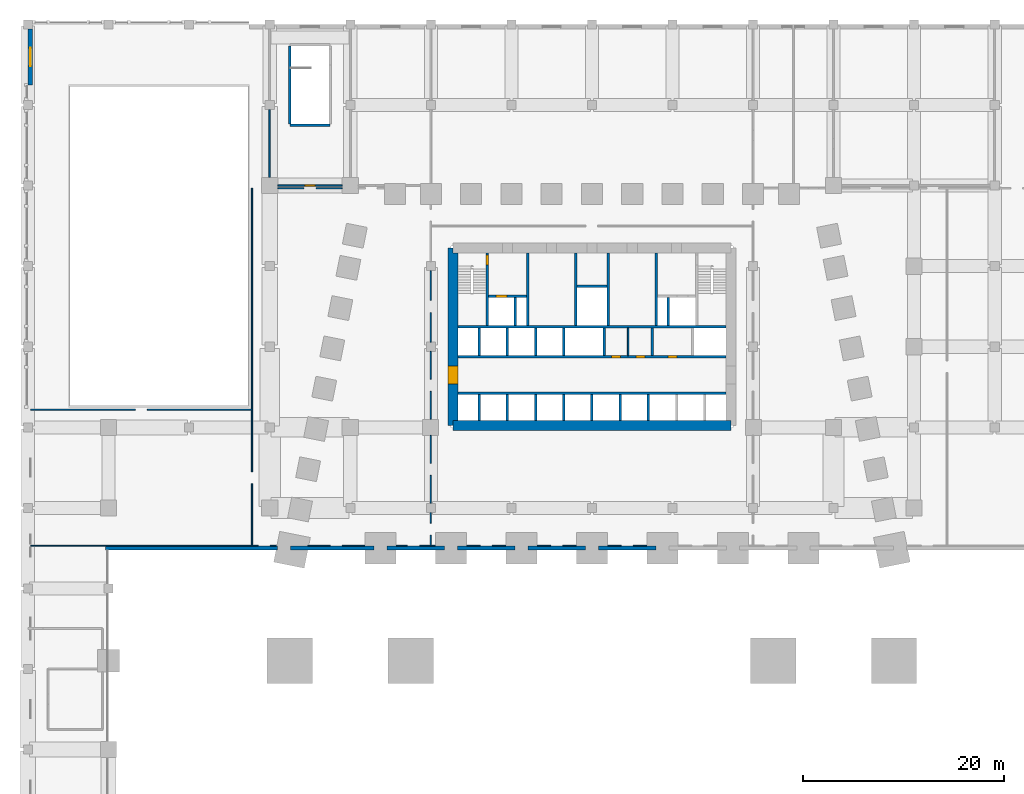
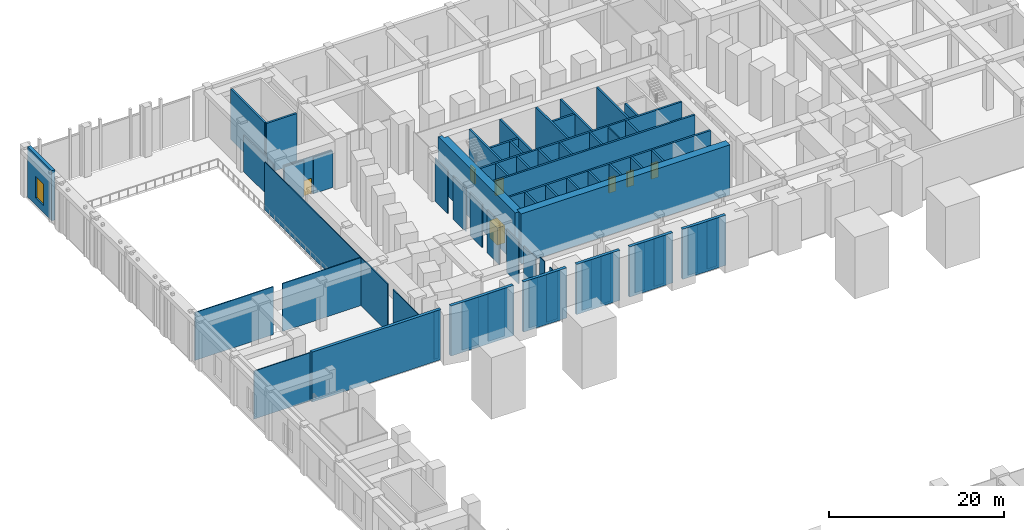
# One storey, part 9 of 18: 65 walls, 7 doors, 1 window, 8 openings.
"""IFC4 building model written with IfcOpenShell, lengths in metres."""

import ifcopenshell
import ifcopenshell.guid

model = None  # the IFC model being written
_history = None  # IfcOwnerHistory: only IFC2X3 demands one
_inside = {}  # id of a spatial element -> (the spatial element, [elements in it])
_under = {}  # id of a project, library or spatial element -> (it, [spatial elements below it])
_declared = {}  # id of a project -> (the project, [libraries it declares])
_typed = {}  # id of a type object -> (the type object, [elements of that type])
_made_of = {}  # id of a material, layer set ... -> (it, [elements and type objects made of it])


def new_model(schema):
    """Start an empty IFC model of exactly this schema.

    Asked for "IFC4X3", IfcOpenShell would pick the latest addendum, in which some entities
    have other attributes; the version numbers below select the first issue.
    IFC2X3 requires an IfcOwnerHistory on every rooted entity: one is made here for all.
    """
    global model, _history
    if schema == "IFC4X3":
        model = ifcopenshell.file(schema_version=(4, 3, 0, 0))
    else:
        model = ifcopenshell.file(schema=schema)
    _inside.clear()
    _under.clear()
    _declared.clear()
    _typed.clear()
    _made_of.clear()
    _history = None
    if model.schema == "IFC2X3":
        org = make("IfcOrganization", Name="unknown")
        user = make(
            "IfcPersonAndOrganization",
            ThePerson=make("IfcPerson", FamilyName="unknown"),
            TheOrganization=org,
        )
        app = make(
            "IfcApplication",
            ApplicationDeveloper=org,
            Version="unknown",
            ApplicationFullName="unknown",
            ApplicationIdentifier="unknown",
        )
        _history = make(
            "IfcOwnerHistory",
            OwningUser=user,
            OwningApplication=app,
            ChangeAction="ADDED",
            CreationDate=0,
        )
    return model


def make(cls, **values):
    """One entity of the class cls with the attributes given. An attribute that is None is left unset."""
    return model.create_entity(
        cls, **{name: value for name, value in values.items() if value is not None}
    )


def rooted(cls, **values):
    """An entity with a GlobalId (a new one), such as an element, a storey or a relation."""
    return make(cls, GlobalId=ifcopenshell.guid.new(), OwnerHistory=_history, **values)


def si_unit(unit_type, name, prefix=None):
    """IfcSIUnit, for example si_unit("LENGTHUNIT", "METRE", prefix="MILLI")."""
    return make("IfcSIUnit", UnitType=unit_type, Prefix=prefix, Name=name)


def assignment(units):
    """IfcUnitAssignment: the units of a project."""
    return None if units is None else make("IfcUnitAssignment", Units=units)


def point(xyz):
    """IfcCartesianPoint."""
    return None if xyz is None else make("IfcCartesianPoint", Coordinates=xyz)


def direction(xyz):
    """IfcDirection."""
    return None if xyz is None else make("IfcDirection", DirectionRatios=xyz)


def frame(location, z_axis=None, x_axis=None):
    """IfcAxis2Placement3D, a coordinate frame: its origin and axes. An axis left out is left unset."""
    return make(
        "IfcAxis2Placement3D",
        Location=point(location),
        Axis=direction(z_axis),
        RefDirection=direction(x_axis),
    )


def frame_2d(location, x_axis=None):
    """IfcAxis2Placement2D, a coordinate frame in the plane: its origin and x axis."""
    return make(
        "IfcAxis2Placement2D", Location=point(location), RefDirection=direction(x_axis)
    )


def origin():
    """The frame at (0, 0, 0) with its axes left unset."""
    return frame((0.0, 0.0, 0.0))


def place(relative_to, where):
    """IfcLocalPlacement: puts the frame where relative to a parent placement (None: the world)."""
    return make(
        "IfcLocalPlacement", PlacementRelTo=relative_to, RelativePlacement=where
    )


def context(
    kind, dimensions, precision=None, world=None, true_north=None, identifier=None
):
    """IfcGeometricRepresentationContext, for example the 3D "Model" context."""
    return make(
        "IfcGeometricRepresentationContext",
        ContextIdentifier=identifier,
        ContextType=kind,
        CoordinateSpaceDimension=dimensions,
        Precision=precision,
        WorldCoordinateSystem=world,
        TrueNorth=true_north,
    )


def subcontext(parent, identifier, kind, view, scale=None):
    """IfcGeometricRepresentationSubContext, for example "Body" below "Model"."""
    return make(
        "IfcGeometricRepresentationSubContext",
        ContextIdentifier=identifier,
        ContextType=kind,
        ParentContext=parent,
        TargetScale=scale,
        TargetView=view,
    )


def project(units=None, contexts=None):
    """IfcProject with its units and contexts."""
    return rooted(
        "IfcProject",
        Name="project",
        RepresentationContexts=contexts,
        UnitsInContext=assignment(units),
    )


def spatial(cls, under=None, at=None, **own):
    """A site, building, storey or space (cls), placed at a placement, below another one or the project."""
    s = rooted(cls, ObjectPlacement=at, **own)
    if under is not None:
        _under.setdefault(under.id(), (under, []))[1].append(s)
    return s


def polyline(points):
    """IfcPolyline through the points."""
    return make("IfcPolyline", Points=[point(p) for p in points])


def profile(cls, at=None, kind="AREA", **sizes):
    """A parametric profile (cls). Its sizes go by their IFC names, for example OverallWidth=200.0."""
    return make(cls, ProfileType=kind, Position=at, **sizes)


def rectangle(**sizes):
    """IfcRectangleProfileDef."""
    return profile("IfcRectangleProfileDef", **sizes)


def outline(outer, holes=None, kind="AREA"):
    """IfcArbitraryClosedProfileDef: a profile drawn as a closed curve; with holes, ...WithVoids."""
    if holes is None:
        return make("IfcArbitraryClosedProfileDef", ProfileType=kind, OuterCurve=outer)
    return make(
        "IfcArbitraryProfileDefWithVoids",
        ProfileType=kind,
        OuterCurve=outer,
        InnerCurves=holes,
    )


def extrude(swept, where, along, depth):
    """IfcExtrudedAreaSolid: the profile swept, set in the frame where, extruded along a direction by depth."""
    return make(
        "IfcExtrudedAreaSolid",
        SweptArea=swept,
        Position=where,
        ExtrudedDirection=direction(along),
        Depth=depth,
    )


def shape(context_of_items, identifier, shape_type, items):
    """IfcShapeRepresentation: the items that make up one representation, for example the "Body"."""
    return make(
        "IfcShapeRepresentation",
        ContextOfItems=context_of_items,
        RepresentationIdentifier=identifier,
        RepresentationType=shape_type,
        Items=items,
    )


def material(Name=None, Category=None):
    """IfcMaterial."""
    return make("IfcMaterial", Name=Name, Category=Category)


def layer(
    of_material, thickness, ventilated=None, Name=None, Category=None, Priority=None
):
    """IfcMaterialLayer: one layer of a wall or slab, of a material (None: an air gap)."""
    return make(
        "IfcMaterialLayer",
        Material=of_material,
        LayerThickness=thickness,
        IsVentilated=ventilated,
        Name=Name,
        Category=Category,
        Priority=Priority,
    )


def layer_set(layers, Name=None):
    """IfcMaterialLayerSet."""
    return make("IfcMaterialLayerSet", MaterialLayers=layers, LayerSetName=Name)


def made_of(thing, what):
    """Note that an element or type object is made of a material, layer set ...; save() writes the relation."""
    if what is not None:
        _made_of.setdefault(what.id(), (what, []))[1].append(thing)
    return thing


def type_object(cls, material=None, **own):
    """A type object (cls), such as IfcWallType, which elements share."""
    return made_of(rooted(cls, **own), material)


def element(
    cls,
    number,
    at=None,
    inside=None,
    cuts=None,
    type_object=None,
    material=None,
    context=None,
    identifier="Body",
    shape_type=None,
    held_by="IfcProductDefinitionShape",
    body=None,
    shapes=None,
    **own,
):
    """One element of the class cls, such as IfcWall. Its Tag is "e" and its number.

    at: its placement. inside: the storey or other place that contains it. cuts: it is an
    opening in that element (IfcRelVoidsElement). A single representation is given by context,
    identifier, shape_type and body (its items); several are given by shapes. held_by: the class
    of the entity that holds the representations. save() writes the other relations.
    """
    e = rooted(cls, Tag="e%d" % number, ObjectPlacement=at, **own)
    if body is not None:
        shapes = [shape(context, identifier, shape_type, body)]
    if shapes is not None:
        e.Representation = make(held_by, Representations=shapes)
    if inside is not None:
        _inside.setdefault(inside.id(), (inside, []))[1].append(e)
    if cuts is not None:
        rooted(
            "IfcRelVoidsElement", RelatingBuildingElement=cuts, RelatedOpeningElement=e
        )
    if type_object is not None:
        _typed.setdefault(type_object.id(), (type_object, []))[1].append(e)
    return made_of(e, material)


def fill(opening, filler):
    """IfcRelFillsElement: the door or window that sits in an opening."""
    return rooted(
        "IfcRelFillsElement",
        RelatingOpeningElement=opening,
        RelatedBuildingElement=filler,
    )


def aggregate(whole, parts):
    """IfcRelAggregates: a whole, such as a stair, and the parts it consists of."""
    return rooted("IfcRelAggregates", RelatingObject=whole, RelatedObjects=parts)


def save(model, path):
    """Write the relations noted so far, then the file.

    IfcRelAggregates (storeys below a building ...), IfcRelContainedInSpatialStructure (elements
    in a storey), IfcRelDefinesByType, IfcRelAssociatesMaterial and IfcRelDeclares: one each for
    every whole, place, type object, material and project.
    """
    for whole, parts in _under.values():
        aggregate(whole, parts)
    for where, things in _inside.values():
        rooted(
            "IfcRelContainedInSpatialStructure",
            RelatedElements=things,
            RelatingStructure=where,
        )
    for kind, things in _typed.values():
        rooted("IfcRelDefinesByType", RelatedObjects=things, RelatingType=kind)
    for what, things in _made_of.values():
        rooted("IfcRelAssociatesMaterial", RelatedObjects=things, RelatingMaterial=what)
    for by, libraries in _declared.values():
        rooted("IfcRelDeclares", RelatingContext=by, RelatedDefinitions=libraries)
    model.write(path)


model = new_model("IFC4")

# Units and contexts
model_context = context("Model", 3, precision=1e-05, world=origin(), true_north=direction((0.0, 1.0)))
body_context = subcontext(model_context, "Body", "Model", "MODEL_VIEW")
ifc_project = project(units=[si_unit("LENGTHUNIT", "METRE"), si_unit("AREAUNIT", "SQUARE_METRE"), si_unit("VOLUMEUNIT", "CUBIC_METRE"), si_unit("PLANEANGLEUNIT", "RADIAN"), si_unit("MASSUNIT", "GRAM", prefix="KILO")], contexts=[model_context])

# Site, building, storey
site_placement = place(None, origin())
site = spatial("IfcSite", under=ifc_project, at=site_placement, CompositionType="ELEMENT")
building_placement = place(site_placement, origin())
building = spatial("IfcBuilding", under=site, at=building_placement, Name="Isbrekke Arena Tower", CompositionType="ELEMENT")
storey_placement = place(building_placement, frame((0.0, 0.0, 12.0)))
storey = spatial("IfcBuildingStorey", under=building, at=storey_placement, Name="L02", CompositionType="ELEMENT", Elevation=12.0)

# Walls
ifc_material_1 = material(Name="Concrete B45 (C45/55)", Category="concrete")
ifc_layer_1 = layer(ifc_material_1, 0.39990234375)
ifc_layer_set_1 = layer_set([ifc_layer_1], Name="AW1 ARENA WALL 400")
wall_type_1 = type_object("IfcWallType", Name="AW1 ARENA WALL 400", PredefinedType="SHEAR", material=ifc_layer_set_1)
wall_1_placement = place(storey_placement, frame((-48.300048828125, -6.0, 0.0), z_axis=(0.0, 0.0, 1.0), x_axis=(1.0, 0.0, 0.0)))
element("IfcWall", 1, at=wall_1_placement, inside=storey, type_object=wall_type_1, Name="Arena north wall 1", PredefinedType="SHEAR", context=body_context, shape_type="SweptSolid", body=[
    extrude(rectangle(XDim=17.050048828125, YDim=0.39990234375, at=frame_2d((8.52490234375, 0.0))), origin(), (0.0, 0.0, 1.0), 7.0),
])
wall_2_placement = place(storey_placement, frame((-29.949951171875, -6.0, 0.0), z_axis=(0.0, 0.0, 1.0), x_axis=(1.0, 0.0, 0.0)))
element("IfcWall", 2, at=wall_2_placement, inside=storey, type_object=wall_type_1, Name="Arena north wall 2", PredefinedType="SHEAR", context=body_context, shape_type="SweptSolid", body=[
    extrude(rectangle(XDim=8.300048828125, YDim=0.39990234375, at=frame_2d((4.14990234375, 0.0))), origin(), (0.0, 0.0, 1.0), 7.0),
])
for number, where, z_axis, x_axis, name in (
    (3, (-20.35009765625, -6.0, 0.0), (0.0, 0.0, 1.0), (1.0, 0.0, 0.0), "Arena north wall 3"),
    (4, (-13.35009765625, -6.0, 0.0), (0.0, 0.0, 1.0), (1.0, 0.0, 0.0), "Arena north wall 4"),
    (5, (-6.35009765625, -6.0, 0.0), (0.0, 0.0, 1.0), (1.0, 0.0, 0.0), "Arena north wall 5"),
    (6, (0.64990234375, -6.0, 0.0), (0.0, 0.0, 1.0), (1.0, 0.0, 0.0), "Arena north wall 6"),
):
    element("IfcWall", number, at=place(storey_placement, frame(where, z_axis=z_axis, x_axis=x_axis)), inside=storey, type_object=wall_type_1, Name=name, PredefinedType="SHEAR", context=body_context, shape_type="SweptSolid", body=[
        extrude(rectangle(XDim=5.7001953125, YDim=0.39990234375, at=frame_2d((2.85009765625, 0.0))), origin(), (0.0, 0.0, 1.0), 7.0),
    ])
ifc_material_2 = material(Name="Concrete B65 (C65/80)", Category="concrete")
ifc_layer_2 = layer(ifc_material_2, 1.0)
ifc_layer_set_2 = layer_set([ifc_layer_2], Name="CW1 CORE WALL 1000")
wall_type_2 = type_object("IfcWallType", Name="CW1 CORE WALL 1000", PredefinedType="SHEAR", material=ifc_layer_set_2)
wall_3_placement = place(storey_placement, frame((-13.800048828125, 6.199951171875, 0.0), z_axis=(0.0, 0.0, 1.0), x_axis=(1.0, 0.0, 0.0)))
element("IfcWall", 7, at=wall_3_placement, inside=storey, type_object=wall_type_2, Name="Core wall S L02", PredefinedType="SHEAR", context=body_context, shape_type="SweptSolid", body=[
    extrude(rectangle(XDim=27.60009765625, YDim=1.0, at=frame_2d((13.800048828125, 0.0))), origin(), (0.0, 0.0, 1.0), 7.0),
])

# Wall, opening, door
wall_4_placement = place(storey_placement, frame((-13.800048828125, 23.800048828125, 0.0), z_axis=(0.0, 0.0, 1.0), x_axis=(0.0, -1.0, 0.0)))
wall_4 = element("IfcWall", 8, at=wall_4_placement, inside=storey, type_object=wall_type_2, Name="Core wall W L02", PredefinedType="SHEAR", context=body_context, shape_type="SweptSolid", body=[
    extrude(outline(polyline([(0.0, -0.5), (17.60009765625, -0.5), (17.60009765625, 0.0), (17.10009765625, 0.0), (17.10009765625, 0.5), (0.5, 0.5), (0.5, 0.0), (0.0, 0.0), (0.0, -0.5)])), origin(), (0.0, 0.0, 1.0), 7.0),
])
opening_1_placement = place(wall_4_placement, frame((11.699951171875, 0.0, 0.0)))
opening_1 = element("IfcOpeningElement", 9, at=opening_1_placement, cuts=wall_4, Name="Opening D1", PredefinedType="OPENING", context=body_context, shape_type="SweptSolid", body=[
    extrude(rectangle(XDim=1.800048828125, YDim=2.39990234375, at=frame_2d((0.89990234375, 1.199951171875))), frame((0.0, 0.514892578125, 0.0), z_axis=(0.0, -1.0, 0.0), x_axis=(1.0, 0.0, 0.0)), (0.0, 0.0, 1.0), 1.02978515625),
])
ifc_material_3 = material(Name="Steel-framed glazed fire door", Category="steel")
door_type_1 = type_object("IfcDoorType", Name="D1 CORE LOBBY DOOR 1800 x 2400", OperationType="DOUBLE_DOOR_SINGLE_SWING", PredefinedType="DOOR", material=ifc_material_3)
door_1_placement = place(opening_1_placement, origin())
door_1 = element("IfcDoor", 10, at=door_1_placement, inside=storey, type_object=door_type_1, Name="D1 lift lobby door west L02", OperationType="DOUBLE_DOOR_SINGLE_SWING", OverallHeight=2.39990234375, OverallWidth=1.800048828125, PredefinedType="DOOR", context=body_context, shape_type="SweptSolid", body=[
    extrude(rectangle(XDim=1.800048828125, YDim=2.39990234375, at=frame_2d((0.89990234375, 1.199951171875))), frame((0.0, 0.499755859375, 0.0), z_axis=(0.0, -1.0, 0.0), x_axis=(1.0, 0.0, 0.0)), (0.0, 0.0, 1.0), 0.99951171875),
])
fill(opening_1, door_1)

# Wall
ifc_material_4 = material(Name="Concrete B45 (C45/55)", Category="concrete")
ifc_layer_3 = layer(ifc_material_4, 0.25)
ifc_layer_set_3 = layer_set([ifc_layer_3], Name="CW6 SHAFT WALL 250")
wall_type_3 = type_object("IfcWallType", Name="CW6 SHAFT WALL 250", PredefinedType="SHEAR", material=ifc_layer_set_3)
wall_5_placement = place(storey_placement, frame((-13.300048828125, 9.39990234375, 0.0), z_axis=(0.0, 0.0, 1.0), x_axis=(1.0, 0.0, 0.0)))
element("IfcWall", 11, at=wall_5_placement, inside=storey, type_object=wall_type_3, Name="Core wall LS L02", PredefinedType="SHEAR", context=body_context, shape_type="SweptSolid", body=[
    extrude(rectangle(XDim=26.60009765625, YDim=0.25, at=frame_2d((13.300048828125, 0.0))), origin(), (0.0, 0.0, 1.0), 7.0),
])

# Wall, openings, doors
wall_6_placement = place(storey_placement, frame((-13.300048828125, 13.0, 0.0), z_axis=(0.0, 0.0, 1.0), x_axis=(1.0, 0.0, 0.0)))
wall_6 = element("IfcWall", 12, at=wall_6_placement, inside=storey, type_object=wall_type_3, Name="Core wall LN L02", PredefinedType="SHEAR", context=body_context, shape_type="SweptSolid", body=[
    extrude(rectangle(XDim=26.60009765625, YDim=0.25, at=frame_2d((13.300048828125, 0.0))), origin(), (0.0, 0.0, 1.0), 7.0),
])
opening_2_placement = place(wall_6_placement, frame((15.25, 0.0, 0.0)))
opening_2 = element("IfcOpeningElement", 13, at=opening_2_placement, cuts=wall_6, Name="Opening D5", PredefinedType="OPENING", context=body_context, shape_type="SweptSolid", body=[
    extrude(rectangle(XDim=0.89990234375, YDim=2.10009765625, at=frame_2d((0.449951171875, 1.050048828125))), frame((0.0, 0.139892578125, 0.0), z_axis=(0.0, -1.0, 0.0), x_axis=(1.0, 0.0, 0.0)), (0.0, 0.0, 1.0), 0.27978515625),
])
opening_3_placement = place(wall_6_placement, frame((17.64990234375, 0.0, 0.0)))
opening_3 = element("IfcOpeningElement", 14, at=opening_3_placement, cuts=wall_6, Name="Opening D5", PredefinedType="OPENING", context=body_context, shape_type="SweptSolid", body=[
    extrude(rectangle(XDim=0.89990234375, YDim=2.10009765625, at=frame_2d((0.449951171875, 1.050048828125))), frame((0.0, 0.139892578125, 0.0), z_axis=(0.0, -1.0, 0.0), x_axis=(1.0, 0.0, 0.0)), (0.0, 0.0, 1.0), 0.27978515625),
])
opening_4_placement = place(wall_6_placement, frame((20.85009765625, 0.0, 0.0)))
opening_4 = element("IfcOpeningElement", 15, at=opening_4_placement, cuts=wall_6, Name="Opening D5", PredefinedType="OPENING", context=body_context, shape_type="SweptSolid", body=[
    extrude(rectangle(XDim=0.89990234375, YDim=2.10009765625, at=frame_2d((0.449951171875, 1.050048828125))), frame((0.0, 0.139892578125, 0.0), z_axis=(0.0, -1.0, 0.0), x_axis=(1.0, 0.0, 0.0)), (0.0, 0.0, 1.0), 0.27978515625),
])
ifc_material_5 = material(Name="Steel fire door", Category="steel")
door_type_2 = type_object("IfcDoorType", Name="D5 SERVICE DOOR 900 x 2100", OperationType="SINGLE_SWING_LEFT", PredefinedType="DOOR", material=ifc_material_5)
door_2_placement = place(opening_2_placement, origin())
door_2 = element("IfcDoor", 16, at=door_2_placement, inside=storey, type_object=door_type_2, Name="D5 communications room door L02", OperationType="SINGLE_SWING_LEFT", OverallHeight=2.10009765625, OverallWidth=0.89990234375, PredefinedType="DOOR", context=body_context, shape_type="SweptSolid", body=[
    extrude(rectangle(XDim=0.89990234375, YDim=2.10009765625, at=frame_2d((0.449951171875, 1.050048828125))), frame((0.0, 0.124755859375, 0.0), z_axis=(0.0, -1.0, 0.0), x_axis=(1.0, 0.0, 0.0)), (0.0, 0.0, 1.0), 0.24951171875),
])
fill(opening_2, door_2)
door_3_placement = place(opening_3_placement, origin())
door_3 = element("IfcDoor", 17, at=door_3_placement, inside=storey, type_object=door_type_2, Name="D5 cleaner's store door L02", OperationType="SINGLE_SWING_LEFT", OverallHeight=2.10009765625, OverallWidth=0.89990234375, PredefinedType="DOOR", context=body_context, shape_type="SweptSolid", body=[
    extrude(rectangle(XDim=0.89990234375, YDim=2.10009765625, at=frame_2d((0.449951171875, 1.050048828125))), frame((0.0, 0.124755859375, 0.0), z_axis=(0.0, -1.0, 0.0), x_axis=(1.0, 0.0, 0.0)), (0.0, 0.0, 1.0), 0.24951171875),
])
fill(opening_3, door_3)
door_4_placement = place(opening_4_placement, origin())
door_4 = element("IfcDoor", 18, at=door_4_placement, inside=storey, type_object=door_type_2, Name="D5 store door L02", OperationType="SINGLE_SWING_LEFT", OverallHeight=2.10009765625, OverallWidth=0.89990234375, PredefinedType="DOOR", context=body_context, shape_type="SweptSolid", body=[
    extrude(rectangle(XDim=0.89990234375, YDim=2.10009765625, at=frame_2d((0.449951171875, 1.050048828125))), frame((0.0, 0.124755859375, 0.0), z_axis=(0.0, -1.0, 0.0), x_axis=(1.0, 0.0, 0.0)), (0.0, 0.0, 1.0), 0.24951171875),
])
fill(opening_4, door_4)

# Walls
wall_7_placement = place(storey_placement, frame((-13.300048828125, 16.0, 0.0), z_axis=(0.0, 0.0, 1.0), x_axis=(1.0, 0.0, 0.0)))
element("IfcWall", 19, at=wall_7_placement, inside=storey, type_object=wall_type_3, Name="Core wall NB L02", PredefinedType="SHEAR", context=body_context, shape_type="SweptSolid", body=[
    extrude(rectangle(XDim=26.60009765625, YDim=0.25, at=frame_2d((13.300048828125, 0.0))), origin(), (0.0, 0.0, 1.0), 7.0),
])
for number, where, z_axis, x_axis, name in (
    (20, (-11.199951171875, 6.699951171875, 0.0), (0.0, 0.0, 1.0), (0.0, 1.0, 0.0), "Core wall SS01 L02"),
    (21, (-8.39990234375, 6.699951171875, 0.0), (0.0, 0.0, 1.0), (0.0, 1.0, 0.0), "Core wall SS02 L02"),
    (22, (-5.60009765625, 6.699951171875, 0.0), (0.0, 0.0, 1.0), (0.0, 1.0, 0.0), "Core wall SS03 L02"),
    (23, (-2.800048828125, 6.699951171875, 0.0), (0.0, 0.0, 1.0), (0.0, 1.0, 0.0), "Core wall SS04 L02"),
    (24, (0.0, 6.699951171875, 0.0), (0.0, 0.0, 1.0), (0.0, 1.0, 0.0), "Core wall SS05 L02"),
    (25, (2.800048828125, 6.699951171875, 0.0), (0.0, 0.0, 1.0), (0.0, 1.0, 0.0), "Core wall SS06 L02"),
    (26, (5.60009765625, 6.699951171875, 0.0), (0.0, 0.0, 1.0), (0.0, 1.0, 0.0), "Core wall SS07 L02"),
):
    element("IfcWall", number, at=place(storey_placement, frame(where, z_axis=z_axis, x_axis=x_axis)), inside=storey, type_object=wall_type_3, Name=name, PredefinedType="SHEAR", context=body_context, shape_type="SweptSolid", body=[
        extrude(rectangle(XDim=2.574951171875, YDim=0.25, at=frame_2d((1.28759765625, 0.0))), origin(), (0.0, 0.0, 1.0), 7.0),
    ])
for number, where, z_axis, x_axis, name in (
    (27, (-11.199951171875, 13.125, 0.0), (0.0, 0.0, 1.0), (0.0, 1.0, 0.0), "Core wall SN01 L02"),
    (28, (-8.39990234375, 13.125, 0.0), (0.0, 0.0, 1.0), (0.0, 1.0, 0.0), "Core wall SN02 L02"),
    (29, (-5.60009765625, 13.125, 0.0), (0.0, 0.0, 1.0), (0.0, 1.0, 0.0), "Core wall SN03 L02"),
    (30, (-2.800048828125, 13.125, 0.0), (0.0, 0.0, 1.0), (0.0, 1.0, 0.0), "Core wall SN04 L02"),
    (31, (1.199951171875, 13.125, 0.0), (0.0, 0.0, 1.0), (0.0, 1.0, 0.0), "Core wall SN05 L02"),
    (32, (6.0, 13.125, 0.0), (0.0, 0.0, 1.0), (0.0, 1.0, 0.0), "Core wall SN06 L02"),
):
    element("IfcWall", number, at=place(storey_placement, frame(where, z_axis=z_axis, x_axis=x_axis)), inside=storey, type_object=wall_type_3, Name=name, PredefinedType="SHEAR", context=body_context, shape_type="SweptSolid", body=[
        extrude(rectangle(XDim=2.75, YDim=0.25, at=frame_2d((1.375, 0.0))), origin(), (0.0, 0.0, 1.0), 7.0),
    ])

# Wall, opening, door
wall_8_placement = place(storey_placement, frame((-10.39990234375, 16.125, 0.0), z_axis=(0.0, 0.0, 1.0), x_axis=(0.0, 1.0, 0.0)))
wall_8 = element("IfcWall", 33, at=wall_8_placement, inside=storey, type_object=wall_type_3, Name="Core wall NV01 L02", PredefinedType="SHEAR", context=body_context, shape_type="SweptSolid", body=[
    extrude(rectangle(XDim=7.175048828125, YDim=0.25, at=frame_2d((3.58740234375, 0.0))), origin(), (0.0, 0.0, 1.0), 7.0),
])
opening_5_placement = place(wall_8_placement, frame((5.97509765625, 0.0, 0.0)))
opening_5 = element("IfcOpeningElement", 34, at=opening_5_placement, cuts=wall_8, Name="Opening D2", PredefinedType="OPENING", context=body_context, shape_type="SweptSolid", body=[
    extrude(rectangle(XDim=1.0, YDim=2.10009765625, at=frame_2d((0.5, 1.050048828125))), frame((0.0, 0.139892578125, 0.0), z_axis=(0.0, -1.0, 0.0), x_axis=(1.0, 0.0, 0.0)), (0.0, 0.0, 1.0), 0.27978515625),
])
ifc_material_6 = material(Name="Steel fire door", Category="steel")
door_type_3 = type_object("IfcDoorType", Name="D2 STAIR DOOR 1000 x 2100", OperationType="SINGLE_SWING_LEFT", PredefinedType="DOOR", material=ifc_material_6)
door_5_placement = place(opening_5_placement, origin())
door_5 = element("IfcDoor", 35, at=door_5_placement, inside=storey, type_object=door_type_3, Name="D2 stair door ST1 L02", OperationType="SINGLE_SWING_LEFT", OverallHeight=2.10009765625, OverallWidth=1.0, PredefinedType="DOOR", context=body_context, shape_type="SweptSolid", body=[
    extrude(rectangle(XDim=1.0, YDim=2.10009765625, at=frame_2d((0.5, 1.050048828125))), frame((0.0, 0.124755859375, 0.0), z_axis=(0.0, -1.0, 0.0), x_axis=(1.0, 0.0, 0.0)), (0.0, 0.0, 1.0), 0.24951171875),
])
fill(opening_5, door_5)

# Walls
for number, where, z_axis, x_axis, name in (
    (36, (-6.39990234375, 16.125, 0.0), (0.0, 0.0, 1.0), (0.0, 1.0, 0.0), "Core wall NV02 L02"),
    (37, (-1.60009765625, 16.125, 0.0), (0.0, 0.0, 1.0), (0.0, 1.0, 0.0), "Core wall NV03 L02"),
    (38, (1.60009765625, 16.125, 0.0), (0.0, 0.0, 1.0), (0.0, 1.0, 0.0), "Core wall NV04 L02"),
    (39, (6.39990234375, 16.125, 0.0), (0.0, 0.0, 1.0), (0.0, 1.0, 0.0), "Core wall NV05 L02"),
):
    element("IfcWall", number, at=place(storey_placement, frame(where, z_axis=z_axis, x_axis=x_axis)), inside=storey, type_object=wall_type_3, Name=name, PredefinedType="SHEAR", context=body_context, shape_type="SweptSolid", body=[
        extrude(rectangle(XDim=7.175048828125, YDim=0.25, at=frame_2d((3.58740234375, 0.0))), origin(), (0.0, 0.0, 1.0), 7.0),
    ])

# Wall, opening, door
wall_9_placement = place(storey_placement, frame((-10.27490234375, 19.0, 0.0), z_axis=(0.0, 0.0, 1.0), x_axis=(1.0, 0.0, 0.0)))
wall_9 = element("IfcWall", 40, at=wall_9_placement, inside=storey, type_object=wall_type_3, Name="Core wall NFW L02", PredefinedType="SHEAR", context=body_context, shape_type="SweptSolid", body=[
    extrude(rectangle(XDim=3.75, YDim=0.25, at=frame_2d((1.875, 0.0))), origin(), (0.0, 0.0, 1.0), 7.0),
])
opening_6_placement = place(wall_9_placement, frame((0.72509765625, 0.0, 0.0)))
opening_6 = element("IfcOpeningElement", 41, at=opening_6_placement, cuts=wall_9, Name="Opening LD2", PredefinedType="OPENING", context=body_context, shape_type="SweptSolid", body=[
    extrude(rectangle(XDim=1.10009765625, YDim=2.10009765625, at=frame_2d((0.550048828125, 1.050048828125))), frame((0.0, 0.139892578125, 0.0), z_axis=(0.0, -1.0, 0.0), x_axis=(1.0, 0.0, 0.0)), (0.0, 0.0, 1.0), 0.27978515625),
])
ifc_material_7 = material(Name="Stainless steel lift landing door", Category="steel")
door_type_4 = type_object("IfcDoorType", Name="LD2 FIRE-FIGHTING LIFT LANDING DOOR 1100 x 2100", OperationType="SLIDING_TO_RIGHT", PredefinedType="DOOR", material=ifc_material_7)
door_6_placement = place(opening_6_placement, origin())
door_6 = element("IfcDoor", 42, at=door_6_placement, inside=storey, type_object=door_type_4, Name="LD2 lift landing door LF L02", OperationType="SLIDING_TO_RIGHT", OverallHeight=2.10009765625, OverallWidth=1.10009765625, PredefinedType="DOOR", context=body_context, shape_type="SweptSolid", body=[
    extrude(rectangle(XDim=1.10009765625, YDim=2.10009765625, at=frame_2d((0.550048828125, 1.050048828125))), frame((0.0, 0.124755859375, 0.0), z_axis=(0.0, -1.0, 0.0), x_axis=(1.0, 0.0, 0.0)), (0.0, 0.0, 1.0), 0.24951171875),
])
fill(opening_6, door_6)

# Walls
for number, where, z_axis, x_axis, name in (
    (43, (-7.60009765625, 16.125, 0.0), (0.0, 0.0, 1.0), (0.0, 1.0, 0.0), "Core wall NFS1 L02"),
    (44, (7.60009765625, 16.125, 0.0), (0.0, 0.0, 1.0), (0.0, 1.0, 0.0), "Core wall NFS2 L02"),
):
    element("IfcWall", number, at=place(storey_placement, frame(where, z_axis=z_axis, x_axis=x_axis)), inside=storey, type_object=wall_type_3, Name=name, PredefinedType="SHEAR", context=body_context, shape_type="SweptSolid", body=[
        extrude(rectangle(XDim=2.75, YDim=0.25, at=frame_2d((1.375, 0.0))), origin(), (0.0, 0.0, 1.0), 7.0),
    ])
wall_10_placement = place(storey_placement, frame((-1.47509765625, 20.0, 0.0), z_axis=(0.0, 0.0, 1.0), x_axis=(1.0, 0.0, 0.0)))
element("IfcWall", 45, at=wall_10_placement, inside=storey, type_object=wall_type_3, Name="Core wall NWC L02", PredefinedType="SHEAR", context=body_context, shape_type="SweptSolid", body=[
    extrude(rectangle(XDim=2.9501953125, YDim=0.25, at=frame_2d((1.47509765625, 0.0))), origin(), (0.0, 0.0, 1.0), 7.0),
])

# Wall, opening, window
ifc_material_8 = material(Name="Pale brick facing on concrete backing wall", Category="masonry")
ifc_layer_4 = layer(ifc_material_8, 0.449951171875)
ifc_layer_set_4 = layer_set([ifc_layer_4], Name="EW1 PODIUM BRICK WALL 450")
wall_type_4 = type_object("IfcWallType", Name="EW1 PODIUM BRICK WALL 450", PredefinedType="SOLIDWALL", material=ifc_layer_set_4)
wall_11_placement = place(storey_placement, frame((-55.77490234375, 45.550048828125, 0.0), z_axis=(0.0, 0.0, 1.0), x_axis=(0.0, -1.0, 0.0)))
wall_11 = element("IfcWall", 46, at=wall_11_placement, inside=storey, type_object=wall_type_4, Name="EW1 podium wall W2 L02", PredefinedType="SOLIDWALL", context=body_context, shape_type="SweptSolid", body=[
    extrude(rectangle(XDim=5.550048828125, YDim=0.449951171875, at=frame_2d((2.77490234375, 0.0))), origin(), (0.0, 0.0, 1.0), 7.0),
])
opening_7_placement = place(wall_11_placement, frame((1.875, 0.0, 1.0)))
opening_7 = element("IfcOpeningElement", 47, at=opening_7_placement, cuts=wall_11, Name="Opening WN2", PredefinedType="OPENING", context=body_context, shape_type="SweptSolid", body=[
    extrude(rectangle(XDim=1.800048828125, YDim=3.0, at=frame_2d((0.89990234375, 1.5))), frame((0.0, 0.23974609375, 0.0), z_axis=(0.0, -1.0, 0.0), x_axis=(1.0, 0.0, 0.0)), (0.0, 0.0, 1.0), 0.479736328125),
])
ifc_material_9 = material(Name="Timber-aluminium window, triple glazed", Category="wood")
window_type = type_object("IfcWindowType", Name="WN2 PODIUM WINDOW 1800 x 3000", PartitioningType="SINGLE_PANEL", PredefinedType="WINDOW", material=ifc_material_9)
window_placement = place(opening_7_placement, origin())
window = element("IfcWindow", 48, at=window_placement, inside=storey, type_object=window_type, Name="WN2 podium window W2-1", OverallHeight=3.0, OverallWidth=1.800048828125, PartitioningType="SINGLE_PANEL", PredefinedType="WINDOW", context=body_context, shape_type="SweptSolid", body=[
    extrude(rectangle(XDim=1.800048828125, YDim=3.0, at=frame_2d((0.89990234375, 1.5))), frame((0.0, 0.030029296875, 0.0), z_axis=(0.0, -1.0, 0.0), x_axis=(1.0, 0.0, 0.0)), (0.0, 0.0, 1.0), 0.06005859375),
])
fill(opening_7, window)

# Wall
ifc_material_10 = material(Name="Gypsum board partition on steel studs", Category="steel")
ifc_layer_5 = layer(ifc_material_10, 0.14990234375)
ifc_layer_set_5 = layer_set([ifc_layer_5], Name="IW1 PARTITION 150")
wall_type_5 = type_object("IfcWallType", Name="IW1 PARTITION 150", PredefinedType="PARTITIONING", material=ifc_layer_set_5)
wall_12_placement = place(storey_placement, frame((-32.0, 30.81005859375, 0.0), z_axis=(0.0, 0.0, 1.0), x_axis=(0.0, 1.0, 0.0)))
element("IfcWall", 49, at=wall_12_placement, inside=storey, type_object=wall_type_5, Name="IW1 partition L02", PredefinedType="PARTITIONING", context=body_context, shape_type="SweptSolid", body=[
    extrude(rectangle(XDim=6.72998046875, YDim=0.14990234375, at=frame_2d((3.364990234375, 0.0))), origin(), (0.0, 0.0, 1.0), 5.09912109375),
])

# Wall, opening, door
wall_13_placement = place(storey_placement, frame((-31.18994140625, 30.0, 0.0), z_axis=(0.0, 0.0, 1.0), x_axis=(1.0, 0.0, 0.0)))
wall_13 = element("IfcWall", 50, at=wall_13_placement, inside=storey, type_object=wall_type_5, Name="IW1 partition L02", PredefinedType="PARTITIONING", context=body_context, shape_type="SweptSolid", body=[
    extrude(rectangle(XDim=6.3798828125, YDim=0.14990234375, at=frame_2d((3.18994140625, 0.0))), origin(), (0.0, 0.0, 1.0), 5.09912109375),
])
opening_8_placement = place(wall_13_placement, frame((2.68994140625, 0.0, 0.0)))
opening_8 = element("IfcOpeningElement", 51, at=opening_8_placement, cuts=wall_13, Name="Opening D6", PredefinedType="OPENING", context=body_context, shape_type="SweptSolid", body=[
    extrude(rectangle(XDim=1.0, YDim=2.10009765625, at=frame_2d((0.5, 1.050048828125))), frame((0.0, 0.08984375, 0.0), z_axis=(0.0, -1.0, 0.0), x_axis=(1.0, 0.0, 0.0)), (0.0, 0.0, 1.0), 0.1796875),
])
ifc_material_11 = material(Name="Timber door", Category="wood")
door_type_5 = type_object("IfcDoorType", Name="D6 ROOM DOOR 1000 x 2100", OperationType="SINGLE_SWING_LEFT", PredefinedType="DOOR", material=ifc_material_11)
door_7_placement = place(opening_8_placement, origin())
door_7 = element("IfcDoor", 52, at=door_7_placement, inside=storey, type_object=door_type_5, Name="D6 door L02-16", OperationType="SINGLE_SWING_LEFT", OverallHeight=2.10009765625, OverallWidth=1.0, PredefinedType="DOOR", context=body_context, shape_type="SweptSolid", body=[
    extrude(rectangle(XDim=1.0, YDim=2.10009765625, at=frame_2d((0.5, 1.050048828125))), frame((0.0, 0.07470703125, 0.0), z_axis=(0.0, -1.0, 0.0), x_axis=(1.0, 0.0, 0.0)), (0.0, 0.0, 1.0), 0.1494140625),
])
fill(opening_8, door_7)

# Walls
ifc_material_12 = material(Name="Frameless glazed partition, laminated acoustic glass", Category="glass")
ifc_layer_6 = layer(ifc_material_12, 0.1201171875)
ifc_layer_set_6 = layer_set([ifc_layer_6], Name="IW2 GLAZED PARTITION 120")
wall_type_6 = type_object("IfcWallType", Name="IW2 GLAZED PARTITION 120", PredefinedType="PARTITIONING", material=ifc_layer_set_6)
wall_14_placement = place(storey_placement, frame((-33.75, -5.75, 0.0), z_axis=(0.0, 0.0, 1.0), x_axis=(0.0, 1.0, 0.0)))
element("IfcWall", 53, at=wall_14_placement, inside=storey, type_object=wall_type_6, Name="IW2 glazed partition L02", PredefinedType="PARTITIONING", context=body_context, shape_type="SweptSolid", body=[
    extrude(rectangle(XDim=6.14990234375, YDim=0.1201171875, at=frame_2d((3.074951171875, 0.0))), origin(), (0.0, 0.0, 1.0), 6.699951171875),
])
wall_15_placement = place(storey_placement, frame((-33.75, 1.60009765625, 0.0), z_axis=(0.0, 0.0, 1.0), x_axis=(0.0, 1.0, 0.0)))
element("IfcWall", 54, at=wall_15_placement, inside=storey, type_object=wall_type_6, Name="IW2 glazed partition L02", PredefinedType="PARTITIONING", context=body_context, shape_type="SweptSolid", body=[
    extrude(rectangle(XDim=28.14990234375, YDim=0.1201171875, at=frame_2d((14.074951171875, 0.0))), origin(), (0.0, 0.0, 1.0), 6.699951171875),
])
for number, where, z_axis, x_axis, name in (
    (55, (-16.0, -5.75, 0.0), (0.0, 0.0, 1.0), (0.0, 1.0, 0.0), "IW2 glazed partition L02"),
    (56, (-16.0, -3.5048828125, 0.0), (0.0, 0.0, 1.0), (0.0, 1.0, 0.0), "IW2 glazed partition L02"),
):
    element("IfcWall", number, at=place(storey_placement, frame(where, z_axis=z_axis, x_axis=x_axis)), inside=storey, type_object=wall_type_6, Name=name, PredefinedType="PARTITIONING", context=body_context, shape_type="SweptSolid", body=[
        extrude(rectangle(XDim=1.044921875, YDim=0.1201171875, at=frame_2d((0.5224609375, 0.0))), origin(), (0.0, 0.0, 1.0), 6.699951171875),
    ])
wall_16_placement = place(storey_placement, frame((-16.0, -1.5400390625, 0.0), z_axis=(0.0, 0.0, 1.0), x_axis=(0.0, 1.0, 0.0)))
element("IfcWall", 57, at=wall_16_placement, inside=storey, type_object=wall_type_6, Name="IW2 glazed partition L02", PredefinedType="PARTITIONING", context=body_context, shape_type="SweptSolid", body=[
    extrude(rectangle(XDim=2.76513671875, YDim=0.1201171875, at=frame_2d((1.382568359375, 0.0))), origin(), (0.0, 0.0, 1.0), 6.050048828125),
])
for number, where, z_axis, x_axis, name in (
    (58, (-16.0, 2.425048828125, 0.0), (0.0, 0.0, 1.0), (0.0, 1.0, 0.0), "IW2 glazed partition L02"),
    (59, (-16.0, 6.81005859375, 0.0), (0.0, 0.0, 1.0), (0.0, 1.0, 0.0), "IW2 glazed partition L02"),
):
    element("IfcWall", number, at=place(storey_placement, frame(where, z_axis=z_axis, x_axis=x_axis)), inside=storey, type_object=wall_type_6, Name=name, PredefinedType="PARTITIONING", context=body_context, shape_type="SweptSolid", body=[
        extrude(rectangle(XDim=2.764892578125, YDim=0.1201171875, at=frame_2d((1.38232421875, 0.0))), origin(), (0.0, 0.0, 1.0), 6.050048828125),
    ])
wall_17_placement = place(storey_placement, frame((-16.0, 10.77490234375, 0.0), z_axis=(0.0, 0.0, 1.0), x_axis=(0.0, 1.0, 0.0)))
element("IfcWall", 60, at=wall_17_placement, inside=storey, type_object=wall_type_6, Name="IW2 glazed partition L02", PredefinedType="PARTITIONING", context=body_context, shape_type="SweptSolid", body=[
    extrude(rectangle(XDim=2.76513671875, YDim=0.1201171875, at=frame_2d((1.382568359375, 0.0))), origin(), (0.0, 0.0, 1.0), 6.050048828125),
])
for number, where, z_axis, x_axis, name in (
    (61, (-16.0, 14.4599609375, 0.0), (0.0, 0.0, 1.0), (0.0, 1.0, 0.0), "IW2 glazed partition L02"),
    (62, (-16.0, 18.60009765625, 0.0), (0.0, 0.0, 1.0), (0.0, 1.0, 0.0), "IW2 glazed partition L02"),
):
    element("IfcWall", number, at=place(storey_placement, frame(where, z_axis=z_axis, x_axis=x_axis)), inside=storey, type_object=wall_type_6, Name=name, PredefinedType="PARTITIONING", context=body_context, shape_type="SweptSolid", body=[
        extrude(rectangle(XDim=2.93994140625, YDim=0.1201171875, at=frame_2d((1.469970703125, 0.0))), origin(), (0.0, 0.0, 1.0), 6.050048828125),
    ])
wall_18_placement = place(storey_placement, frame((-55.75, -5.75, 0.0), z_axis=(0.0, 0.0, 1.0), x_axis=(1.0, 0.0, 0.0)))
element("IfcWall", 63, at=wall_18_placement, inside=storey, type_object=wall_type_6, Name="IW2 glazed partition L02", PredefinedType="PARTITIONING", context=body_context, shape_type="SweptSolid", body=[
    extrude(rectangle(XDim=22.599609375, YDim=0.1201171875, at=frame_2d((11.2998046875, 0.0))), origin(), (0.0, 0.0, 1.0), 6.699951171875),
])
wall_19_placement = place(storey_placement, frame((-31.950439453125, -5.75, 0.0), z_axis=(0.0, 0.0, 1.0), x_axis=(1.0, 0.0, 0.0)))
element("IfcWall", 64, at=wall_19_placement, inside=storey, type_object=wall_type_6, Name="IW2 glazed partition L02", PredefinedType="PARTITIONING", context=body_context, shape_type="SweptSolid", body=[
    extrude(rectangle(XDim=0.599365234375, YDim=0.1201171875, at=frame_2d((0.2998046875, 0.0))), origin(), (0.0, 0.0, 1.0), 6.699951171875),
])
for number, where, z_axis, x_axis, name in (
    (65, (-28.23095703125, -5.75, 0.0), (0.0, 0.0, 1.0), (1.0, 0.0, 0.0), "IW2 glazed partition L02"),
    (66, (-24.79541015625, -5.75, 0.0), (0.0, 0.0, 1.0), (1.0, 0.0, 0.0), "IW2 glazed partition L02"),
):
    element("IfcWall", number, at=place(storey_placement, frame(where, z_axis=z_axis, x_axis=x_axis)), inside=storey, type_object=wall_type_6, Name=name, PredefinedType="PARTITIONING", context=body_context, shape_type="SweptSolid", body=[
        extrude(rectangle(XDim=2.2353515625, YDim=0.1201171875, at=frame_2d((1.11767578125, 0.0))), origin(), (0.0, 0.0, 1.0), 6.699951171875),
    ])
wall_20_placement = place(storey_placement, frame((-19.43994140625, -5.75, 0.0), z_axis=(0.0, 0.0, 1.0), x_axis=(1.0, 0.0, 0.0)))
element("IfcWall", 67, at=wall_20_placement, inside=storey, type_object=wall_type_6, Name="IW2 glazed partition L02", PredefinedType="PARTITIONING", context=body_context, shape_type="SweptSolid", body=[
    extrude(rectangle(XDim=1.119873046875, YDim=0.1201171875, at=frame_2d((0.56005859375, 0.0))), origin(), (0.0, 0.0, 1.0), 6.699951171875),
])
wall_21_placement = place(storey_placement, frame((-17.1201171875, -5.75, 0.0), z_axis=(0.0, 0.0, 1.0), x_axis=(1.0, 0.0, 0.0)))
element("IfcWall", 68, at=wall_21_placement, inside=storey, type_object=wall_type_6, Name="IW2 glazed partition L02", PredefinedType="PARTITIONING", context=body_context, shape_type="SweptSolid", body=[
    extrude(rectangle(XDim=1.56005859375, YDim=0.1201171875, at=frame_2d((0.780029296875, 0.0))), origin(), (0.0, 0.0, 1.0), 6.699951171875),
])
for number, where, z_axis, x_axis, name in (
    (69, (-12.43994140625, -5.75, 0.0), (0.0, 0.0, 1.0), (1.0, 0.0, 0.0), "IW2 glazed partition L02"),
    (70, (-9.89990234375, -5.75, 0.0), (0.0, 0.0, 1.0), (1.0, 0.0, 0.0), "IW2 glazed partition L02"),
    (71, (-5.43994140625, -5.75, 0.0), (0.0, 0.0, 1.0), (1.0, 0.0, 0.0), "IW2 glazed partition L02"),
    (72, (-2.89990234375, -5.75, 0.0), (0.0, 0.0, 1.0), (1.0, 0.0, 0.0), "IW2 glazed partition L02"),
    (73, (1.56005859375, -5.75, 0.0), (0.0, 0.0, 1.0), (1.0, 0.0, 0.0), "IW2 glazed partition L02"),
    (74, (4.10009765625, -5.75, 0.0), (0.0, 0.0, 1.0), (1.0, 0.0, 0.0), "IW2 glazed partition L02"),
):
    element("IfcWall", number, at=place(storey_placement, frame(where, z_axis=z_axis, x_axis=x_axis)), inside=storey, type_object=wall_type_6, Name=name, PredefinedType="PARTITIONING", context=body_context, shape_type="SweptSolid", body=[
        extrude(rectangle(XDim=1.33984375, YDim=0.1201171875, at=frame_2d((0.669921875, 0.0))), origin(), (0.0, 0.0, 1.0), 6.699951171875),
    ])
for number, where, z_axis, x_axis, name in (
    (75, (-55.75, 7.75, 0.0), (0.0, 0.0, 1.0), (1.0, 0.0, 0.0), "IW2 glazed partition L02"),
    (76, (-44.14990234375, 7.75, 0.0), (0.0, 0.0, 1.0), (1.0, 0.0, 0.0), "IW2 glazed partition L02"),
):
    element("IfcWall", number, at=place(storey_placement, frame(where, z_axis=z_axis, x_axis=x_axis)), inside=storey, type_object=wall_type_6, Name=name, PredefinedType="PARTITIONING", context=body_context, shape_type="SweptSolid", body=[
        extrude(rectangle(XDim=10.39990234375, YDim=0.1201171875, at=frame_2d((5.199951171875, 0.0))), origin(), (0.0, 0.0, 1.0), 6.699951171875),
    ])
for number, where, z_axis, x_axis, name in (
    (77, (-31.18994140625, 29.75, 0.0), (0.0, 0.0, 1.0), (1.0, 0.0, 0.0), "IW2 glazed partition L02"),
    (78, (-27.39990234375, 29.75, 0.0), (0.0, 0.0, 1.0), (1.0, 0.0, 0.0), "IW2 glazed partition L02"),
):
    element("IfcWall", number, at=place(storey_placement, frame(where, z_axis=z_axis, x_axis=x_axis)), inside=storey, type_object=wall_type_6, Name=name, PredefinedType="PARTITIONING", context=body_context, shape_type="SweptSolid", body=[
        extrude(rectangle(XDim=2.58984375, YDim=0.1201171875, at=frame_2d((1.294921875, 0.0))), origin(), (0.0, 0.0, 1.0), 5.09912109375),
    ])
ifc_material_13 = material(Name="Gypsum board fire-rated partition on steel studs, two layers each side", Category="steel")
ifc_layer_7 = layer(ifc_material_13, 0.14990234375)
ifc_layer_set_7 = layer_set([ifc_layer_7], Name="IW5 FIRE-RATED PARTITION 150")
wall_type_7 = type_object("IfcWallType", Name="IW5 FIRE-RATED PARTITION 150", PredefinedType="PARTITIONING", material=ifc_layer_set_7)
wall_22_placement = place(storey_placement, frame((3.60009765625, 13.125, 0.0), z_axis=(0.0, 0.0, 1.0), x_axis=(0.0, 1.0, 0.0)))
element("IfcWall", 79, at=wall_22_placement, inside=storey, type_object=wall_type_7, Name="IW5 fire-rated partition L02 core service rooms 1", PredefinedType="PARTITIONING", context=body_context, shape_type="SweptSolid", body=[
    extrude(rectangle(XDim=2.75, YDim=0.14990234375, at=frame_2d((1.375, 0.0))), origin(), (0.0, 0.0, 1.0), 6.85009765625),
])
ifc_material_14 = material(Name="Concrete B45 (C45/55)", Category="concrete")
ifc_layer_8 = layer(ifc_material_14, 0.25)
ifc_layer_set_8 = layer_set([ifc_layer_8], Name="SW1 STAIR ENCLOSURE WALL 250")
wall_type_8 = type_object("IfcWallType", Name="SW1 STAIR ENCLOSURE WALL 250", PredefinedType="SOLIDWALL", material=ifc_layer_set_8)
wall_23_placement = place(storey_placement, frame((-30.0, 36.0, 0.0), z_axis=(0.0, 0.0, 1.0), x_axis=(1.0, 0.0, 0.0)))
element("IfcWall", 80, at=wall_23_placement, inside=storey, type_object=wall_type_8, Name="SW1 stair wall P2 S L02", PredefinedType="SOLIDWALL", context=body_context, shape_type="SweptSolid", body=[
    extrude(rectangle(XDim=4.0, YDim=0.25, at=frame_2d((2.0, 0.0))), origin(), (0.0, 0.0, 1.0), 7.0),
])
wall_24_placement = place(storey_placement, frame((-30.0, 43.875, 0.0), z_axis=(0.0, 0.0, 1.0), x_axis=(0.0, -1.0, 0.0)))
element("IfcWall", 81, at=wall_24_placement, inside=storey, type_object=wall_type_8, Name="SW1 stair wall P2 W L02", PredefinedType="SOLIDWALL", context=body_context, shape_type="SweptSolid", body=[
    extrude(rectangle(XDim=7.75, YDim=0.25, at=frame_2d((3.875, 0.0))), origin(), (0.0, 0.0, 1.0), 7.0),
])

save(model, "model.ifc")
